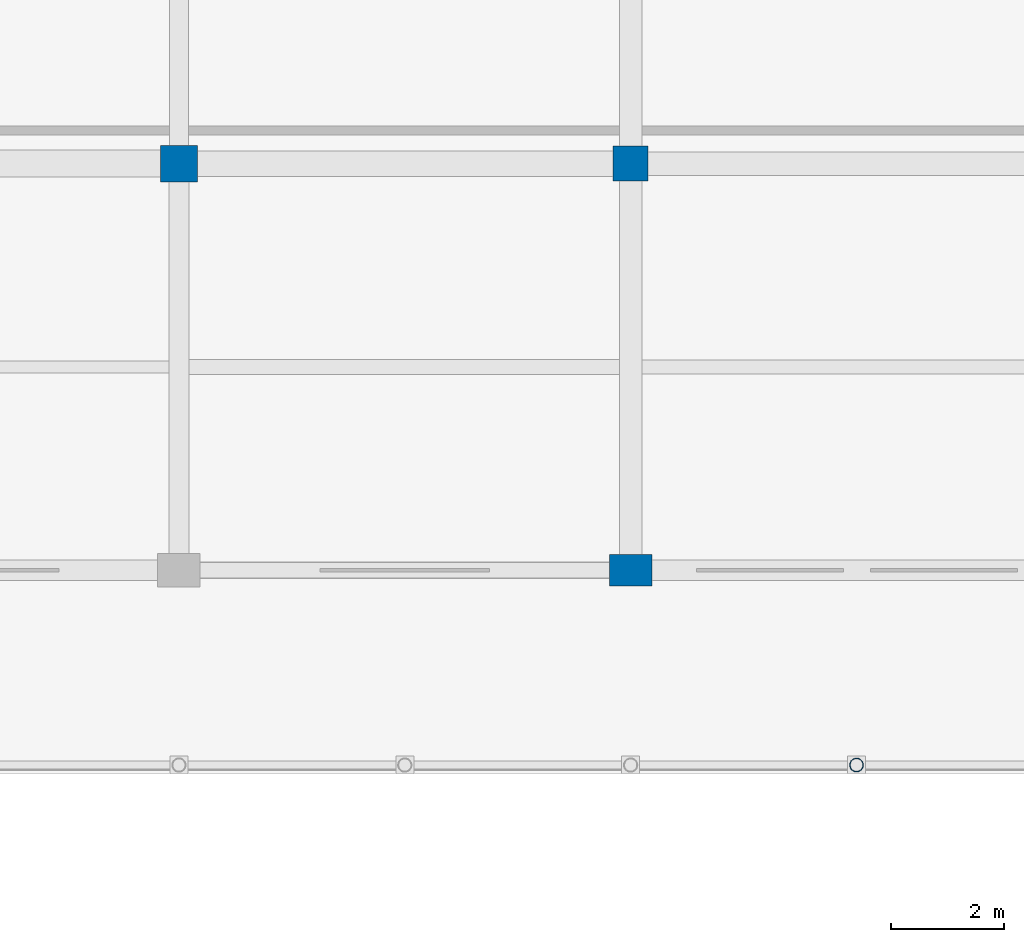
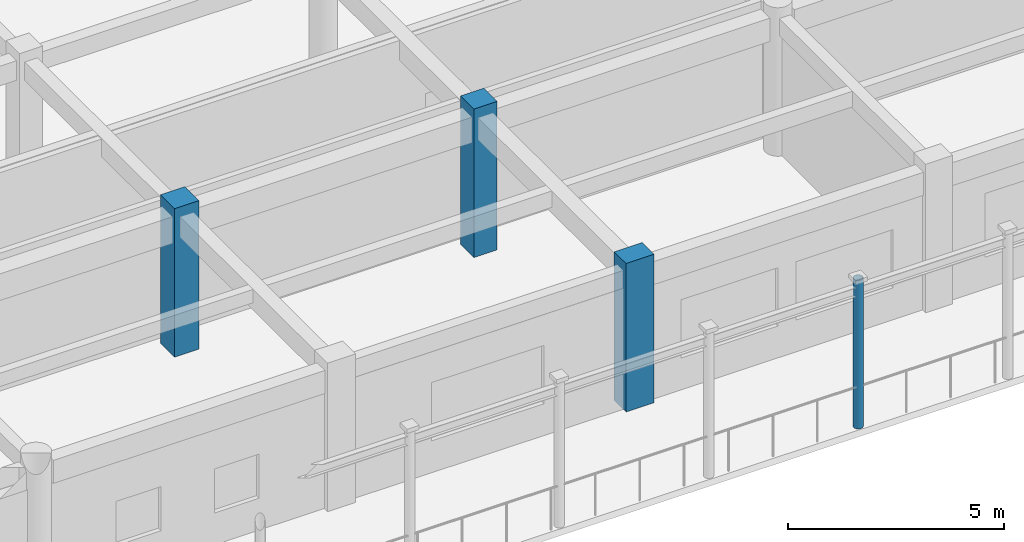
# One storey, part 18 of 195: 4 columns.
"""IFC4 building model written with IfcOpenShell, lengths in metres."""

from ifc_helpers import new_model, si_unit, direction, frame, origin, origin_2d, place, context, subcontext, project, spatial, rectangle, hollow_circle, extrude, material, material_profile, profile_set, type_object, element, save


model = new_model("IFC4")

# Units and contexts
model_context = context("Model", 3, precision=1e-05, world=origin(), true_north=direction((0.0, 1.0)))
body_context = subcontext(model_context, "Body", "Model", "MODEL_VIEW")
ifc_project = project(units=[si_unit("LENGTHUNIT", "METRE"), si_unit("AREAUNIT", "SQUARE_METRE"), si_unit("VOLUMEUNIT", "CUBIC_METRE"), si_unit("PLANEANGLEUNIT", "RADIAN"), si_unit("MASSUNIT", "GRAM", prefix="KILO")], contexts=[model_context])

# Site, building, storey
site_placement = place(None, origin())
site = spatial("IfcSite", under=ifc_project, at=site_placement, CompositionType="ELEMENT")
building_placement = place(site_placement, origin())
building = spatial("IfcBuilding", under=site, at=building_placement, Name="Kharva Crest Polytechnic", CompositionType="ELEMENT")
storey_placement = place(building_placement, frame((0.0, 0.0, 9.0)))
storey = spatial("IfcBuildingStorey", under=building, at=storey_placement, Name="L02", CompositionType="ELEMENT", Elevation=9.0)

# Columns
ifc_material_1 = material(Name="Concrete C40/50", Category="concrete")
ifc_material_profile_1 = material_profile(ifc_material_1, rectangle(XDim=0.75, YDim=0.550048828125, at=origin_2d()), Name="RECT 750 X 550")
ifc_profile_set_1 = profile_set([ifc_material_profile_1], Name="Concrete C40/50")
column_type_1 = type_object("IfcColumnType", Name="COL-EXT-750X550", PredefinedType="COLUMN", material=ifc_profile_set_1)
column_1_placement = place(storey_placement, frame((88.0, 100.39990234375, 0.0), z_axis=(0.0, 0.0, 1.0), x_axis=(1.0, 0.0, 0.0)))
element("IfcColumn", 1, at=column_1_placement, inside=storey, type_object=column_type_1, Name="L02 Column 12/P", PredefinedType="COLUMN", context=body_context, shape_type="SweptSolid", body=[
    extrude(rectangle(XDim=0.75, YDim=0.550048828125, at=origin_2d()), origin(), (0.0, 0.0, 1.0), 4.199951171875),
])
ifc_material_profile_2 = material_profile(ifc_material_1, rectangle(XDim=0.6201171875, YDim=0.6201171875, at=origin_2d()), Name="RECT 620 X 620")
ifc_profile_set_2 = profile_set([ifc_material_profile_2], Name="Concrete C40/50")
column_type_2 = type_object("IfcColumnType", Name="COL-INT-620X620", PredefinedType="COLUMN", material=ifc_profile_set_2)
column_2_placement = place(storey_placement, frame((88.0, 107.60009765625, 0.0), z_axis=(0.0, 0.0, 1.0), x_axis=(1.0, 0.0, 0.0)))
element("IfcColumn", 2, at=column_2_placement, inside=storey, type_object=column_type_2, Name="L02 Column 12/Q", PredefinedType="COLUMN", context=body_context, shape_type="SweptSolid", body=[
    extrude(rectangle(XDim=0.6201171875, YDim=0.6201171875, at=origin_2d()), origin(), (0.0, 0.0, 1.0), 4.199951171875),
])
ifc_material_profile_3 = material_profile(ifc_material_1, rectangle(XDim=0.64990234375, YDim=0.64990234375, at=origin_2d()), Name="RECT 650 X 650")
ifc_profile_set_3 = profile_set([ifc_material_profile_3], Name="Concrete C40/50")
column_type_3 = type_object("IfcColumnType", Name="COL-INT-650X650", PredefinedType="COLUMN", material=ifc_profile_set_3)
column_3_placement = place(storey_placement, frame((80.0, 107.60009765625, 0.0), z_axis=(0.0, 0.0, 1.0), x_axis=(1.0, 0.0, 0.0)))
element("IfcColumn", 3, at=column_3_placement, inside=storey, type_object=column_type_3, Name="L02 Column 11/Q", PredefinedType="COLUMN", context=body_context, shape_type="SweptSolid", body=[
    extrude(rectangle(XDim=0.64990234375, YDim=0.64990234375, at=origin_2d()), origin(), (0.0, 0.0, 1.0), 4.199951171875),
])
ifc_material_2 = material(Name="Steel S355", Category="steel")
ifc_material_profile_4 = material_profile(ifc_material_2, hollow_circle(Radius=0.122314453125, WallThickness=0.010009765625, at=origin_2d()), Name="CHS 244.5X10.0")
ifc_profile_set_4 = profile_set([ifc_material_profile_4], Name="Steel S355")
column_type_4 = type_object("IfcColumnType", Name="COL-STL-CHS244", PredefinedType="COLUMN", material=ifc_profile_set_4)
column_4_placement = place(storey_placement, frame((92.0, 96.949951171875, 0.0), z_axis=(0.0, 0.0, 1.0), x_axis=(1.0, 0.0, 0.0)))
element("IfcColumn", 4, at=column_4_placement, inside=storey, type_object=column_type_4, Name="L02 Colonnade Mid Column VNM05", PredefinedType="COLUMN", context=body_context, shape_type="SweptSolid", body=[
    extrude(hollow_circle(Radius=0.122314453125, WallThickness=0.010009765625, at=origin_2d()), origin(), (0.0, 0.0, 1.0), 4.199951171875),
])

save(model, "model.ifc")
